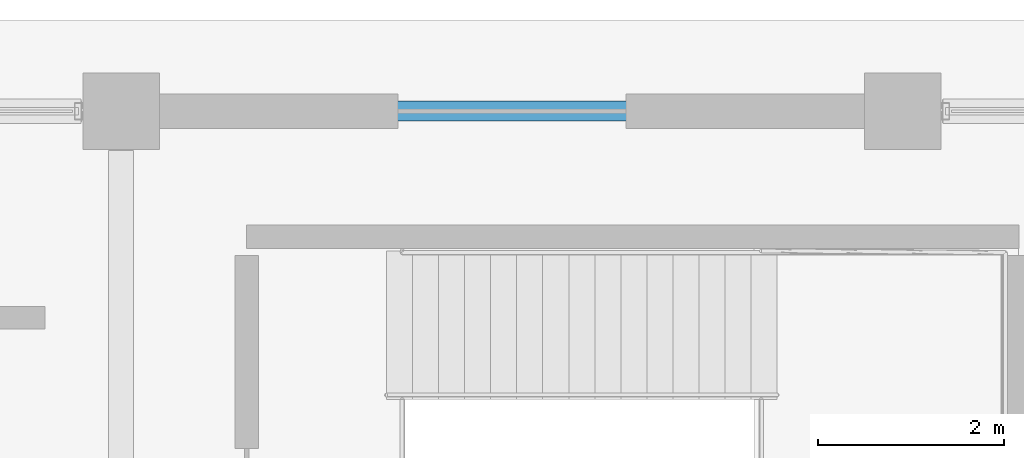
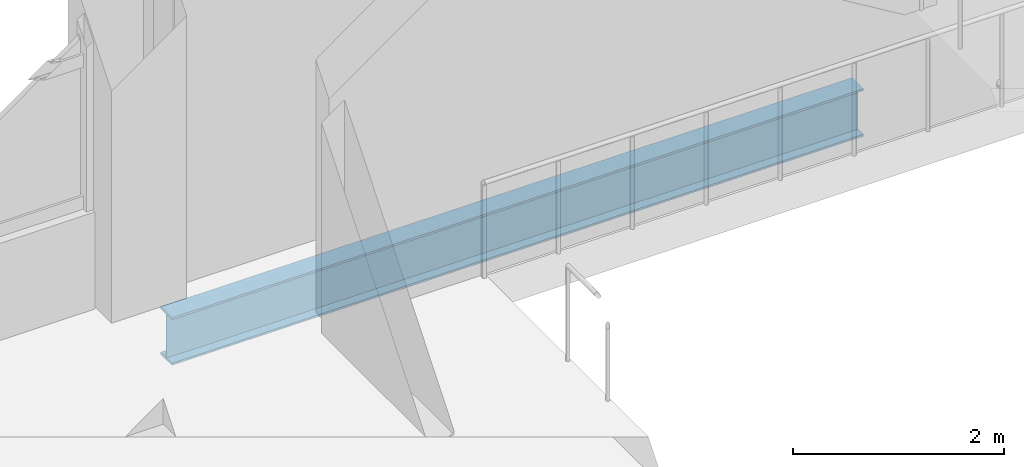
# One storey, part 70 of 107: 1 beam.
"""IFC4 building model written with IfcOpenShell, lengths in metres."""

from ifc_helpers import new_model, si_unit, direction, frame, origin, origin_2d, place, context, subcontext, project, spatial, i_section, extrude, material, material_profile, profile_set, type_object, element, save


model = new_model("IFC4")

# Units and contexts
model_context = context("Model", 3, precision=1e-05, world=origin(), true_north=direction((0.0, 1.0)))
body_context = subcontext(model_context, "Body", "Model", "MODEL_VIEW")
ifc_project = project(units=[si_unit("LENGTHUNIT", "METRE"), si_unit("AREAUNIT", "SQUARE_METRE"), si_unit("VOLUMEUNIT", "CUBIC_METRE"), si_unit("PLANEANGLEUNIT", "RADIAN"), si_unit("MASSUNIT", "GRAM", prefix="KILO")], contexts=[model_context])

# Site, building, storey
site_placement = place(None, origin())
site = spatial("IfcSite", under=ifc_project, at=site_placement, CompositionType="ELEMENT")
building_placement = place(site_placement, origin())
building = spatial("IfcBuilding", under=site, at=building_placement, Name="Solvento Point Concert Hall", CompositionType="ELEMENT")
storey_placement = place(building_placement, origin())
storey = spatial("IfcBuildingStorey", under=building, at=storey_placement, Name="L00", CompositionType="ELEMENT", Elevation=0.0)

# Beam
ifc_material = material(Name="Structural Steel ASTM A992 Grade 50", Category="steel")
ifc_material_profile = material_profile(ifc_material, i_section(OverallWidth=0.214111328125, OverallDepth=0.549072265625, WebThickness=0.0146484375, FlangeThickness=0.023681640625, at=origin_2d()), Name="W21X93")
ifc_profile_set = profile_set([ifc_material_profile], Name="Structural Steel ASTM A992 Grade 50")
beam_type = type_object("IfcBeamType", Name="Beam_W21X93", PredefinedType="BEAM", material=ifc_profile_set)
beam_placement = place(storey_placement, frame((58.02392578125, 136.0, -0.6884765625), z_axis=(1.0, 0.0, 0.0), x_axis=(0.0, 1.0, 0.0)))
element("IfcBeam", 1, at=beam_placement, inside=storey, type_object=beam_type, Name="Primary girder B-48 L00", PredefinedType="BEAM", context=body_context, shape_type="SweptSolid", body=[
    extrude(i_section(OverallWidth=0.214111328125, OverallDepth=0.549072265625, WebThickness=0.0146484375, FlangeThickness=0.023681640625, at=origin_2d()), origin(), (0.0, 0.0, 1.0), 7.552001953125),
])

save(model, "model.ifc")
